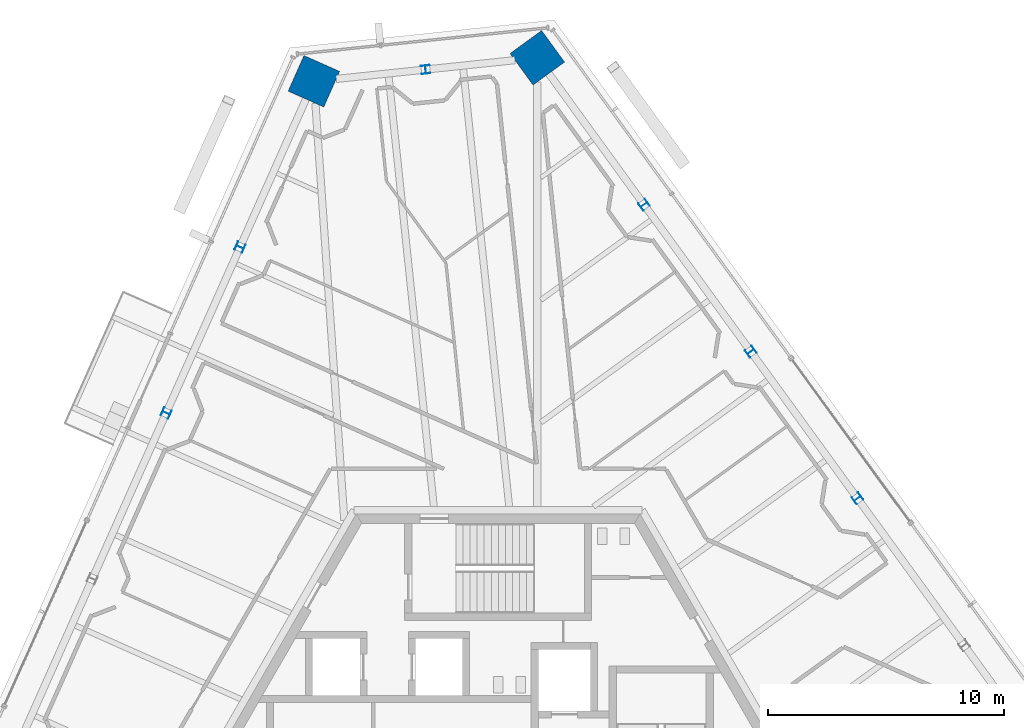
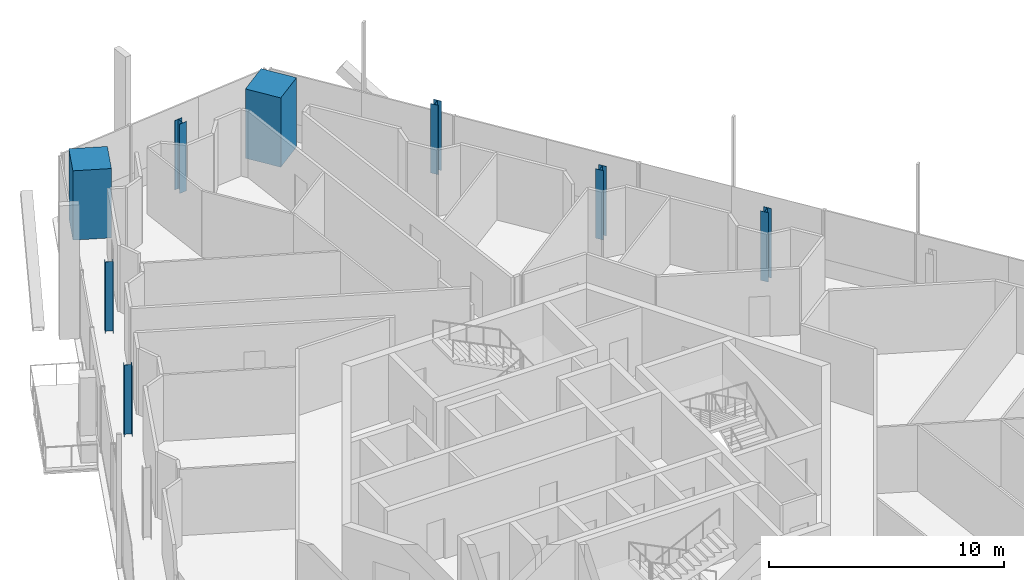
# One storey, part 3 of 21: 8 columns.
"""IFC4 building model written with IfcOpenShell, lengths in metres."""

import ifcopenshell
import ifcopenshell.guid

model = None  # the IFC model being written
_history = None  # IfcOwnerHistory: only IFC2X3 demands one
_inside = {}  # id of a spatial element -> (the spatial element, [elements in it])
_under = {}  # id of a project, library or spatial element -> (it, [spatial elements below it])
_declared = {}  # id of a project -> (the project, [libraries it declares])
_typed = {}  # id of a type object -> (the type object, [elements of that type])
_made_of = {}  # id of a material, layer set ... -> (it, [elements and type objects made of it])


def new_model(schema):
    """Start an empty IFC model of exactly this schema.

    Asked for "IFC4X3", IfcOpenShell would pick the latest addendum, in which some entities
    have other attributes; the version numbers below select the first issue.
    IFC2X3 requires an IfcOwnerHistory on every rooted entity: one is made here for all.
    """
    global model, _history
    if schema == "IFC4X3":
        model = ifcopenshell.file(schema_version=(4, 3, 0, 0))
    else:
        model = ifcopenshell.file(schema=schema)
    _inside.clear()
    _under.clear()
    _declared.clear()
    _typed.clear()
    _made_of.clear()
    _history = None
    if model.schema == "IFC2X3":
        org = make("IfcOrganization", Name="unknown")
        user = make(
            "IfcPersonAndOrganization",
            ThePerson=make("IfcPerson", FamilyName="unknown"),
            TheOrganization=org,
        )
        app = make(
            "IfcApplication",
            ApplicationDeveloper=org,
            Version="unknown",
            ApplicationFullName="unknown",
            ApplicationIdentifier="unknown",
        )
        _history = make(
            "IfcOwnerHistory",
            OwningUser=user,
            OwningApplication=app,
            ChangeAction="ADDED",
            CreationDate=0,
        )
    return model


def make(cls, **values):
    """One entity of the class cls with the attributes given. An attribute that is None is left unset."""
    return model.create_entity(
        cls, **{name: value for name, value in values.items() if value is not None}
    )


def rooted(cls, **values):
    """An entity with a GlobalId (a new one), such as an element, a storey or a relation."""
    return make(cls, GlobalId=ifcopenshell.guid.new(), OwnerHistory=_history, **values)


def si_unit(unit_type, name, prefix=None):
    """IfcSIUnit, for example si_unit("LENGTHUNIT", "METRE", prefix="MILLI")."""
    return make("IfcSIUnit", UnitType=unit_type, Prefix=prefix, Name=name)


def assignment(units):
    """IfcUnitAssignment: the units of a project."""
    return None if units is None else make("IfcUnitAssignment", Units=units)


def point(xyz):
    """IfcCartesianPoint."""
    return None if xyz is None else make("IfcCartesianPoint", Coordinates=xyz)


def direction(xyz):
    """IfcDirection."""
    return None if xyz is None else make("IfcDirection", DirectionRatios=xyz)


def frame(location, z_axis=None, x_axis=None):
    """IfcAxis2Placement3D, a coordinate frame: its origin and axes. An axis left out is left unset."""
    return make(
        "IfcAxis2Placement3D",
        Location=point(location),
        Axis=direction(z_axis),
        RefDirection=direction(x_axis),
    )


def frame_2d(location, x_axis=None):
    """IfcAxis2Placement2D, a coordinate frame in the plane: its origin and x axis."""
    return make(
        "IfcAxis2Placement2D", Location=point(location), RefDirection=direction(x_axis)
    )


def origin():
    """The frame at (0, 0, 0) with its axes left unset."""
    return frame((0.0, 0.0, 0.0))


def origin_2d():
    """The frame at (0, 0) in the plane with its x axis left unset."""
    return frame_2d((0.0, 0.0))


def place(relative_to, where):
    """IfcLocalPlacement: puts the frame where relative to a parent placement (None: the world)."""
    return make(
        "IfcLocalPlacement", PlacementRelTo=relative_to, RelativePlacement=where
    )


def context(
    kind, dimensions, precision=None, world=None, true_north=None, identifier=None
):
    """IfcGeometricRepresentationContext, for example the 3D "Model" context."""
    return make(
        "IfcGeometricRepresentationContext",
        ContextIdentifier=identifier,
        ContextType=kind,
        CoordinateSpaceDimension=dimensions,
        Precision=precision,
        WorldCoordinateSystem=world,
        TrueNorth=true_north,
    )


def subcontext(parent, identifier, kind, view, scale=None):
    """IfcGeometricRepresentationSubContext, for example "Body" below "Model"."""
    return make(
        "IfcGeometricRepresentationSubContext",
        ContextIdentifier=identifier,
        ContextType=kind,
        ParentContext=parent,
        TargetScale=scale,
        TargetView=view,
    )


def project(units=None, contexts=None):
    """IfcProject with its units and contexts."""
    return rooted(
        "IfcProject",
        Name="project",
        RepresentationContexts=contexts,
        UnitsInContext=assignment(units),
    )


def spatial(cls, under=None, at=None, **own):
    """A site, building, storey or space (cls), placed at a placement, below another one or the project."""
    s = rooted(cls, ObjectPlacement=at, **own)
    if under is not None:
        _under.setdefault(under.id(), (under, []))[1].append(s)
    return s


def profile(cls, at=None, kind="AREA", **sizes):
    """A parametric profile (cls). Its sizes go by their IFC names, for example OverallWidth=200.0."""
    return make(cls, ProfileType=kind, Position=at, **sizes)


def rectangle(**sizes):
    """IfcRectangleProfileDef."""
    return profile("IfcRectangleProfileDef", **sizes)


def i_section(**sizes):
    """IfcIShapeProfileDef."""
    return profile("IfcIShapeProfileDef", **sizes)


def extrude(swept, where, along, depth):
    """IfcExtrudedAreaSolid: the profile swept, set in the frame where, extruded along a direction by depth."""
    return make(
        "IfcExtrudedAreaSolid",
        SweptArea=swept,
        Position=where,
        ExtrudedDirection=direction(along),
        Depth=depth,
    )


def shape(context_of_items, identifier, shape_type, items):
    """IfcShapeRepresentation: the items that make up one representation, for example the "Body"."""
    return make(
        "IfcShapeRepresentation",
        ContextOfItems=context_of_items,
        RepresentationIdentifier=identifier,
        RepresentationType=shape_type,
        Items=items,
    )


def source(mapping_origin, context_of_items, identifier, shape_type, items):
    """IfcRepresentationMap: a shape defined once, which mapped items show again and again."""
    return make(
        "IfcRepresentationMap",
        MappingOrigin=mapping_origin,
        MappedRepresentation=shape(context_of_items, identifier, shape_type, items),
    )


def transform(
    local_origin,
    x_axis=None,
    y_axis=None,
    z_axis=None,
    scale=None,
    scale2=None,
    scale3=None,
    uniform=True,
):
    """IfcCartesianTransformationOperator3D, or its non-uniform kind. x_axis, y_axis, z_axis: its Axis1, 2, 3."""
    if uniform:
        return make(
            "IfcCartesianTransformationOperator3D",
            Axis1=direction(x_axis),
            Axis2=direction(y_axis),
            LocalOrigin=point(local_origin),
            Scale=scale,
            Axis3=direction(z_axis),
        )
    return make(
        "IfcCartesianTransformationOperator3DnonUniform",
        Axis1=direction(x_axis),
        Axis2=direction(y_axis),
        LocalOrigin=point(local_origin),
        Scale=scale,
        Axis3=direction(z_axis),
        Scale2=scale2,
        Scale3=scale3,
    )


def mapped(mapping_source, mapping_target):
    """IfcMappedItem: shows the shape of a source again, moved by a transform."""
    return make(
        "IfcMappedItem", MappingSource=mapping_source, MappingTarget=mapping_target
    )


def material(Name=None, Category=None):
    """IfcMaterial."""
    return make("IfcMaterial", Name=Name, Category=Category)


def material_profile(
    of_material, cross_section, Name=None, Category=None, Priority=None
):
    """IfcMaterialProfile: a cross section and its material."""
    return make(
        "IfcMaterialProfile",
        Name=Name,
        Material=of_material,
        Profile=cross_section,
        Priority=Priority,
        Category=Category,
    )


def profile_set(profiles, Name=None, composite=None):
    """IfcMaterialProfileSet."""
    return make(
        "IfcMaterialProfileSet",
        Name=Name,
        MaterialProfiles=profiles,
        CompositeProfile=composite,
    )


def made_of(thing, what):
    """Note that an element or type object is made of a material, layer set ...; save() writes the relation."""
    if what is not None:
        _made_of.setdefault(what.id(), (what, []))[1].append(thing)
    return thing


def type_object(cls, material=None, **own):
    """A type object (cls), such as IfcWallType, which elements share."""
    return made_of(rooted(cls, **own), material)


def element(
    cls,
    number,
    at=None,
    inside=None,
    cuts=None,
    type_object=None,
    material=None,
    context=None,
    identifier="Body",
    shape_type=None,
    held_by="IfcProductDefinitionShape",
    body=None,
    shapes=None,
    **own,
):
    """One element of the class cls, such as IfcWall. Its Tag is "e" and its number.

    at: its placement. inside: the storey or other place that contains it. cuts: it is an
    opening in that element (IfcRelVoidsElement). A single representation is given by context,
    identifier, shape_type and body (its items); several are given by shapes. held_by: the class
    of the entity that holds the representations. save() writes the other relations.
    """
    e = rooted(cls, Tag="e%d" % number, ObjectPlacement=at, **own)
    if body is not None:
        shapes = [shape(context, identifier, shape_type, body)]
    if shapes is not None:
        e.Representation = make(held_by, Representations=shapes)
    if inside is not None:
        _inside.setdefault(inside.id(), (inside, []))[1].append(e)
    if cuts is not None:
        rooted(
            "IfcRelVoidsElement", RelatingBuildingElement=cuts, RelatedOpeningElement=e
        )
    if type_object is not None:
        _typed.setdefault(type_object.id(), (type_object, []))[1].append(e)
    return made_of(e, material)


def aggregate(whole, parts):
    """IfcRelAggregates: a whole, such as a stair, and the parts it consists of."""
    return rooted("IfcRelAggregates", RelatingObject=whole, RelatedObjects=parts)


def save(model, path):
    """Write the relations noted so far, then the file.

    IfcRelAggregates (storeys below a building ...), IfcRelContainedInSpatialStructure (elements
    in a storey), IfcRelDefinesByType, IfcRelAssociatesMaterial and IfcRelDeclares: one each for
    every whole, place, type object, material and project.
    """
    for whole, parts in _under.values():
        aggregate(whole, parts)
    for where, things in _inside.values():
        rooted(
            "IfcRelContainedInSpatialStructure",
            RelatedElements=things,
            RelatingStructure=where,
        )
    for kind, things in _typed.values():
        rooted("IfcRelDefinesByType", RelatedObjects=things, RelatingType=kind)
    for what, things in _made_of.values():
        rooted("IfcRelAssociatesMaterial", RelatedObjects=things, RelatingMaterial=what)
    for by, libraries in _declared.values():
        rooted("IfcRelDeclares", RelatingContext=by, RelatedDefinitions=libraries)
    model.write(path)


model = new_model("IFC4")

# Units and contexts
model_context = context("Model", 3, precision=1e-05, world=origin(), true_north=direction((0.0, 1.0)))
body_context = subcontext(model_context, "Body", "Model", "MODEL_VIEW")
ifc_project = project(units=[si_unit("LENGTHUNIT", "METRE"), si_unit("AREAUNIT", "SQUARE_METRE"), si_unit("VOLUMEUNIT", "CUBIC_METRE"), si_unit("PLANEANGLEUNIT", "RADIAN"), si_unit("MASSUNIT", "GRAM", prefix="KILO")], contexts=[model_context])

# Site, building, storey
site_placement = place(None, origin())
site = spatial("IfcSite", under=ifc_project, at=site_placement, CompositionType="ELEMENT")
building_placement = place(site_placement, origin())
building = spatial("IfcBuilding", under=site, at=building_placement, Name="Triune Harvest Tower", CompositionType="ELEMENT")
storey_placement = place(building_placement, frame((0.0, 0.0, 248.5)))
storey = spatial("IfcBuildingStorey", under=building, at=storey_placement, Name="L65", CompositionType="ELEMENT", Elevation=248.5)

# Columns
ifc_material_1 = material(Name="Steel ASTM A992 Gr 50", Category="steel")
ifc_material_profile_1 = material_profile(ifc_material_1, i_section(OverallWidth=0.368408203125, OverallDepth=0.355712890625, WebThickness=0.01123046875, FlangeThickness=0.01806640625, at=origin_2d()), Name="W14x90")
ifc_profile_set_1 = profile_set([ifc_material_profile_1], Name="Steel ASTM A992 Gr 50")
column_type_1 = type_object("IfcColumnType", Name="PC-6 Perimeter column W14x90", PredefinedType="COLUMN", material=ifc_profile_set_1)
shared_shape_1 = source(origin(), body_context, "Body", "SweptSolid", [
    extrude(i_section(OverallWidth=0.368408203125, OverallDepth=0.355712890625, WebThickness=0.01123046875, FlangeThickness=0.01806640625, at=origin_2d()), origin(), (0.0, 0.0, 1.0), 3.60009765625),
])
for number, where, z_axis, x_axis, name in (
    (1, (15.19970703125, 11.043212890625, 0.0), (0.0, 0.0, 1.0), (-0.587785252292, 0.809016994375, 0.0), "col/L65/P3"),
    (2, (10.685791015625, 17.256103515625, 0.0), (0.0, 0.0, 1.0), (-0.587785252292, 0.809016994375, 0.0), "col/L65/P4"),
    (3, (6.172119140625, 23.468994140625, 1.199951171875), (0.0, 0.0, 1.0), (-0.587785252292, 0.809016994375, 0.0), "col/L65/P5"),
    (4, (-3.0673828125, 29.18505859375, 0.0), (0.0, 0.0, 1.0), (-0.994521895368, -0.104528463268, 0.0), "col/L65/P7"),
    (5, (-10.91650390625, 21.6728515625, 0.0), (0.0, 0.0, 1.0), (-0.406738237513, -0.913544747752, 0.0), "col/L65/P9"),
    (6, (-14.0400390625, 14.6572265625, 0.0), (0.0, 0.0, 1.0), (-0.406738237513, -0.913544747752, 0.0), "col/L65/P10"),
):
    element("IfcColumn", number, at=place(storey_placement, frame(where, z_axis=z_axis, x_axis=x_axis)), inside=storey, type_object=column_type_1, Name=name, PredefinedType="COLUMN", context=body_context, shape_type="MappedRepresentation", body=[
        mapped(shared_shape_1, transform((0.0, 0.0, 0.0), scale=1.0)),
    ])
ifc_material_2 = material(Name="Concrete 70 MPa", Category="concrete")
ifc_material_profile_2 = material_profile(ifc_material_2, rectangle(XDim=1.64990234375, YDim=1.64990234375, at=origin_2d()), Name="Composite 1650x1650")
ifc_profile_set_2 = profile_set([ifc_material_profile_2], Name="Concrete 70 MPa")
column_type_2 = type_object("IfcColumnType", Name="MC-6 Mega column Composite 1650x1650", PredefinedType="COLUMN", material=ifc_profile_set_2)
shared_shape_2 = source(origin(), body_context, "Body", "SweptSolid", [
    extrude(rectangle(XDim=1.64990234375, YDim=1.64990234375, at=origin_2d()), origin(), (0.0, 0.0, 1.0), 3.60009765625),
])
for number, where, z_axis, x_axis, name in (
    (7, (1.658203125, 29.681640625, 0.0), (0.0, 0.0, 1.0), (-0.587785252292, 0.809016994375, 0.0), "col/L65/M6"),
    (8, (-7.793212890625, 28.688232421875, 0.0), (0.0, 0.0, 1.0), (-0.406738237513, -0.913544747752, 0.0), "col/L65/M8"),
):
    element("IfcColumn", number, at=place(storey_placement, frame(where, z_axis=z_axis, x_axis=x_axis)), inside=storey, type_object=column_type_2, Name=name, PredefinedType="COLUMN", context=body_context, shape_type="MappedRepresentation", body=[
        mapped(shared_shape_2, transform((0.0, 0.0, 0.0), scale=1.0)),
    ])

save(model, "model.ifc")
